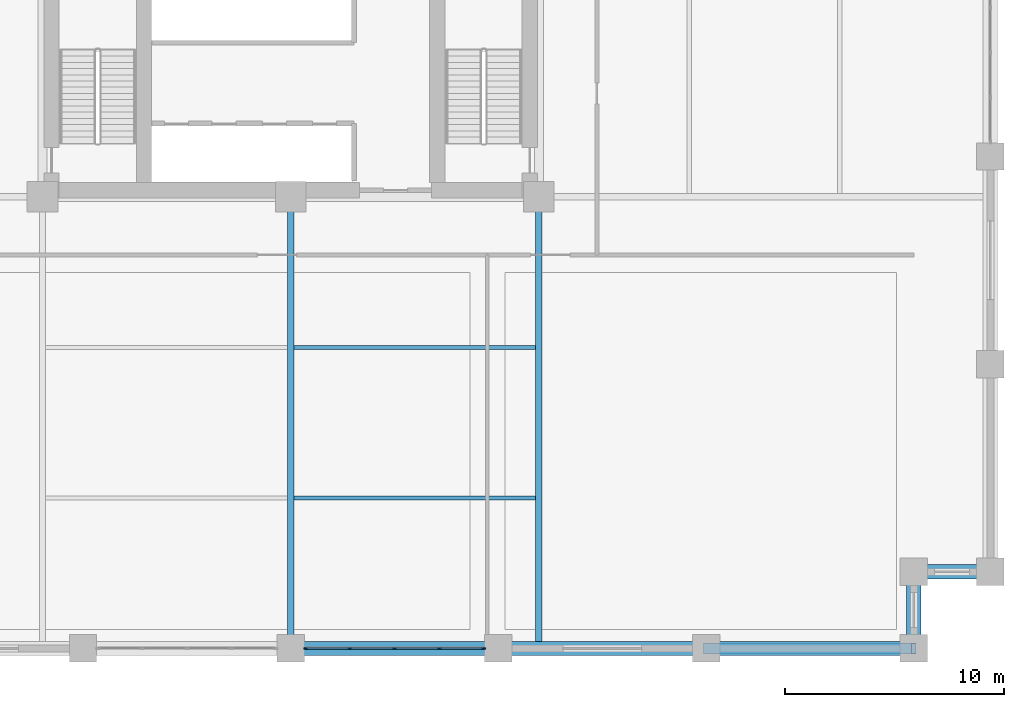
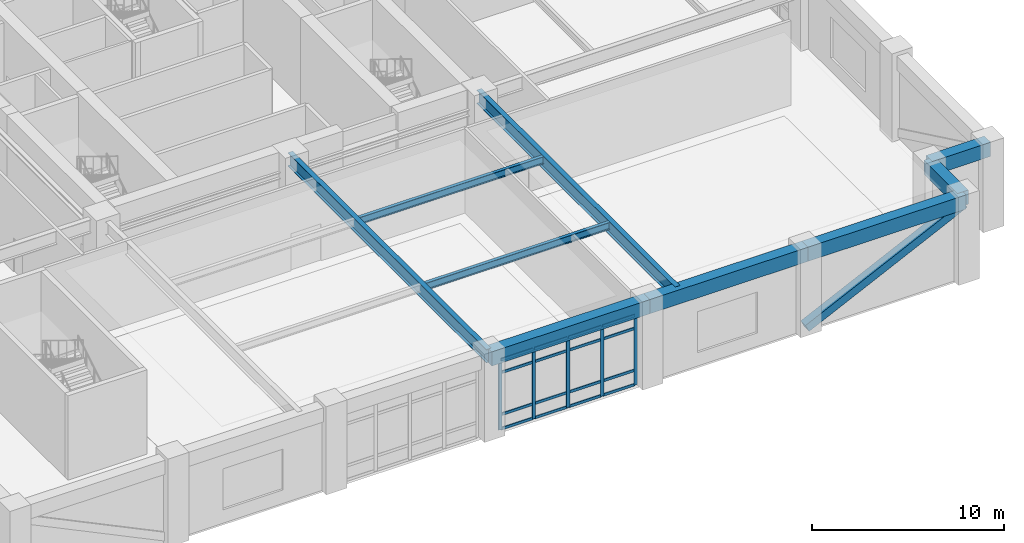
# One storey, part 4 of 21: 22 members, 9 beams, 1 element without a shape of its own.
"""IFC4 building model written with IfcOpenShell, lengths in metres."""

import ifcopenshell
import ifcopenshell.guid

model = None  # the IFC model being written
_history = None  # IfcOwnerHistory: only IFC2X3 demands one
_inside = {}  # id of a spatial element -> (the spatial element, [elements in it])
_under = {}  # id of a project, library or spatial element -> (it, [spatial elements below it])
_declared = {}  # id of a project -> (the project, [libraries it declares])
_typed = {}  # id of a type object -> (the type object, [elements of that type])
_made_of = {}  # id of a material, layer set ... -> (it, [elements and type objects made of it])


def new_model(schema):
    """Start an empty IFC model of exactly this schema.

    Asked for "IFC4X3", IfcOpenShell would pick the latest addendum, in which some entities
    have other attributes; the version numbers below select the first issue.
    IFC2X3 requires an IfcOwnerHistory on every rooted entity: one is made here for all.
    """
    global model, _history
    if schema == "IFC4X3":
        model = ifcopenshell.file(schema_version=(4, 3, 0, 0))
    else:
        model = ifcopenshell.file(schema=schema)
    _inside.clear()
    _under.clear()
    _declared.clear()
    _typed.clear()
    _made_of.clear()
    _history = None
    if model.schema == "IFC2X3":
        org = make("IfcOrganization", Name="unknown")
        user = make(
            "IfcPersonAndOrganization",
            ThePerson=make("IfcPerson", FamilyName="unknown"),
            TheOrganization=org,
        )
        app = make(
            "IfcApplication",
            ApplicationDeveloper=org,
            Version="unknown",
            ApplicationFullName="unknown",
            ApplicationIdentifier="unknown",
        )
        _history = make(
            "IfcOwnerHistory",
            OwningUser=user,
            OwningApplication=app,
            ChangeAction="ADDED",
            CreationDate=0,
        )
    return model


def make(cls, **values):
    """One entity of the class cls with the attributes given. An attribute that is None is left unset."""
    return model.create_entity(
        cls, **{name: value for name, value in values.items() if value is not None}
    )


def rooted(cls, **values):
    """An entity with a GlobalId (a new one), such as an element, a storey or a relation."""
    return make(cls, GlobalId=ifcopenshell.guid.new(), OwnerHistory=_history, **values)


def si_unit(unit_type, name, prefix=None):
    """IfcSIUnit, for example si_unit("LENGTHUNIT", "METRE", prefix="MILLI")."""
    return make("IfcSIUnit", UnitType=unit_type, Prefix=prefix, Name=name)


def assignment(units):
    """IfcUnitAssignment: the units of a project."""
    return None if units is None else make("IfcUnitAssignment", Units=units)


def point(xyz):
    """IfcCartesianPoint."""
    return None if xyz is None else make("IfcCartesianPoint", Coordinates=xyz)


def direction(xyz):
    """IfcDirection."""
    return None if xyz is None else make("IfcDirection", DirectionRatios=xyz)


def frame(location, z_axis=None, x_axis=None):
    """IfcAxis2Placement3D, a coordinate frame: its origin and axes. An axis left out is left unset."""
    return make(
        "IfcAxis2Placement3D",
        Location=point(location),
        Axis=direction(z_axis),
        RefDirection=direction(x_axis),
    )


def frame_2d(location, x_axis=None):
    """IfcAxis2Placement2D, a coordinate frame in the plane: its origin and x axis."""
    return make(
        "IfcAxis2Placement2D", Location=point(location), RefDirection=direction(x_axis)
    )


def origin():
    """The frame at (0, 0, 0) with its axes left unset."""
    return frame((0.0, 0.0, 0.0))


def origin_2d():
    """The frame at (0, 0) in the plane with its x axis left unset."""
    return frame_2d((0.0, 0.0))


def place(relative_to, where):
    """IfcLocalPlacement: puts the frame where relative to a parent placement (None: the world)."""
    return make(
        "IfcLocalPlacement", PlacementRelTo=relative_to, RelativePlacement=where
    )


def context(
    kind, dimensions, precision=None, world=None, true_north=None, identifier=None
):
    """IfcGeometricRepresentationContext, for example the 3D "Model" context."""
    return make(
        "IfcGeometricRepresentationContext",
        ContextIdentifier=identifier,
        ContextType=kind,
        CoordinateSpaceDimension=dimensions,
        Precision=precision,
        WorldCoordinateSystem=world,
        TrueNorth=true_north,
    )


def subcontext(parent, identifier, kind, view, scale=None):
    """IfcGeometricRepresentationSubContext, for example "Body" below "Model"."""
    return make(
        "IfcGeometricRepresentationSubContext",
        ContextIdentifier=identifier,
        ContextType=kind,
        ParentContext=parent,
        TargetScale=scale,
        TargetView=view,
    )


def project(units=None, contexts=None):
    """IfcProject with its units and contexts."""
    return rooted(
        "IfcProject",
        Name="project",
        RepresentationContexts=contexts,
        UnitsInContext=assignment(units),
    )


def spatial(cls, under=None, at=None, **own):
    """A site, building, storey or space (cls), placed at a placement, below another one or the project."""
    s = rooted(cls, ObjectPlacement=at, **own)
    if under is not None:
        _under.setdefault(under.id(), (under, []))[1].append(s)
    return s


def profile(cls, at=None, kind="AREA", **sizes):
    """A parametric profile (cls). Its sizes go by their IFC names, for example OverallWidth=200.0."""
    return make(cls, ProfileType=kind, Position=at, **sizes)


def rectangle(**sizes):
    """IfcRectangleProfileDef."""
    return profile("IfcRectangleProfileDef", **sizes)


def hollow_rectangle(**sizes):
    """IfcRectangleHollowProfileDef."""
    return profile("IfcRectangleHollowProfileDef", **sizes)


def i_section(**sizes):
    """IfcIShapeProfileDef."""
    return profile("IfcIShapeProfileDef", **sizes)


def extrude(swept, where, along, depth):
    """IfcExtrudedAreaSolid: the profile swept, set in the frame where, extruded along a direction by depth."""
    return make(
        "IfcExtrudedAreaSolid",
        SweptArea=swept,
        Position=where,
        ExtrudedDirection=direction(along),
        Depth=depth,
    )


def shape(context_of_items, identifier, shape_type, items):
    """IfcShapeRepresentation: the items that make up one representation, for example the "Body"."""
    return make(
        "IfcShapeRepresentation",
        ContextOfItems=context_of_items,
        RepresentationIdentifier=identifier,
        RepresentationType=shape_type,
        Items=items,
    )


def material(Name=None, Category=None):
    """IfcMaterial."""
    return make("IfcMaterial", Name=Name, Category=Category)


def layer(
    of_material, thickness, ventilated=None, Name=None, Category=None, Priority=None
):
    """IfcMaterialLayer: one layer of a wall or slab, of a material (None: an air gap)."""
    return make(
        "IfcMaterialLayer",
        Material=of_material,
        LayerThickness=thickness,
        IsVentilated=ventilated,
        Name=Name,
        Category=Category,
        Priority=Priority,
    )


def layer_set(layers, Name=None):
    """IfcMaterialLayerSet."""
    return make("IfcMaterialLayerSet", MaterialLayers=layers, LayerSetName=Name)


def material_profile(
    of_material, cross_section, Name=None, Category=None, Priority=None
):
    """IfcMaterialProfile: a cross section and its material."""
    return make(
        "IfcMaterialProfile",
        Name=Name,
        Material=of_material,
        Profile=cross_section,
        Priority=Priority,
        Category=Category,
    )


def profile_set(profiles, Name=None, composite=None):
    """IfcMaterialProfileSet."""
    return make(
        "IfcMaterialProfileSet",
        Name=Name,
        MaterialProfiles=profiles,
        CompositeProfile=composite,
    )


def made_of(thing, what):
    """Note that an element or type object is made of a material, layer set ...; save() writes the relation."""
    if what is not None:
        _made_of.setdefault(what.id(), (what, []))[1].append(thing)
    return thing


def type_object(cls, material=None, **own):
    """A type object (cls), such as IfcWallType, which elements share."""
    return made_of(rooted(cls, **own), material)


def element(
    cls,
    number,
    at=None,
    inside=None,
    cuts=None,
    type_object=None,
    material=None,
    context=None,
    identifier="Body",
    shape_type=None,
    held_by="IfcProductDefinitionShape",
    body=None,
    shapes=None,
    **own,
):
    """One element of the class cls, such as IfcWall. Its Tag is "e" and its number.

    at: its placement. inside: the storey or other place that contains it. cuts: it is an
    opening in that element (IfcRelVoidsElement). A single representation is given by context,
    identifier, shape_type and body (its items); several are given by shapes. held_by: the class
    of the entity that holds the representations. save() writes the other relations.
    """
    e = rooted(cls, Tag="e%d" % number, ObjectPlacement=at, **own)
    if body is not None:
        shapes = [shape(context, identifier, shape_type, body)]
    if shapes is not None:
        e.Representation = make(held_by, Representations=shapes)
    if inside is not None:
        _inside.setdefault(inside.id(), (inside, []))[1].append(e)
    if cuts is not None:
        rooted(
            "IfcRelVoidsElement", RelatingBuildingElement=cuts, RelatedOpeningElement=e
        )
    if type_object is not None:
        _typed.setdefault(type_object.id(), (type_object, []))[1].append(e)
    return made_of(e, material)


def aggregate(whole, parts):
    """IfcRelAggregates: a whole, such as a stair, and the parts it consists of."""
    return rooted("IfcRelAggregates", RelatingObject=whole, RelatedObjects=parts)


def save(model, path):
    """Write the relations noted so far, then the file.

    IfcRelAggregates (storeys below a building ...), IfcRelContainedInSpatialStructure (elements
    in a storey), IfcRelDefinesByType, IfcRelAssociatesMaterial and IfcRelDeclares: one each for
    every whole, place, type object, material and project.
    """
    for whole, parts in _under.values():
        aggregate(whole, parts)
    for where, things in _inside.values():
        rooted(
            "IfcRelContainedInSpatialStructure",
            RelatedElements=things,
            RelatingStructure=where,
        )
    for kind, things in _typed.values():
        rooted("IfcRelDefinesByType", RelatedObjects=things, RelatingType=kind)
    for what, things in _made_of.values():
        rooted("IfcRelAssociatesMaterial", RelatedObjects=things, RelatingMaterial=what)
    for by, libraries in _declared.values():
        rooted("IfcRelDeclares", RelatingContext=by, RelatedDefinitions=libraries)
    model.write(path)


model = new_model("IFC4")

# Units and contexts
model_context = context("Model", 3, precision=1e-05, world=origin(), true_north=direction((0.0, 1.0)))
body_context = subcontext(model_context, "Body", "Model", "MODEL_VIEW")
ifc_project = project(units=[si_unit("LENGTHUNIT", "METRE"), si_unit("AREAUNIT", "SQUARE_METRE"), si_unit("VOLUMEUNIT", "CUBIC_METRE"), si_unit("PLANEANGLEUNIT", "RADIAN"), si_unit("MASSUNIT", "GRAM", prefix="KILO")], contexts=[model_context])

# Site, building, storey
site_placement = place(None, origin())
site = spatial("IfcSite", under=ifc_project, at=site_placement, CompositionType="ELEMENT")
building_placement = place(site_placement, origin())
building = spatial("IfcBuilding", under=site, at=building_placement, Name="Nhamokura Convention Tower", CompositionType="ELEMENT")
storey_placement = place(building_placement, frame((0.0, 0.0, 12.25)))
storey = spatial("IfcBuildingStorey", under=building, at=storey_placement, Name="L02", CompositionType="ELEMENT", Elevation=12.25)

# Curtain wall, members
ifc_material_1 = material(Name="Anodised bronze aluminium AA6063-T6", Category="aluminium")
ifc_layer = layer(ifc_material_1, 0.199951171875)
ifc_layer_set = layer_set([ifc_layer], Name="CWSystem_ConventionFoyer")
curtain_wall_type = type_object("IfcCurtainWallType", Name="CWSystem_ConventionFoyer", PredefinedType="NOTDEFINED", material=ifc_layer_set)
curtain_wall_placement = place(storey_placement, origin())
curtain_wall = element("IfcCurtainWall", 1, at=curtain_wall_placement, inside=storey, type_object=curtain_wall_type, Name="L02 Curtain Wall ENV-L02-CW-S3", PredefinedType="NOTDEFINED")
ifc_material_2 = material(Name="Anodised bronze aluminium AA6063-T6", Category="aluminium")
ifc_material_profile_1 = material_profile(ifc_material_2, rectangle(XDim=0.074951171875, YDim=0.199951171875, at=origin_2d()))
ifc_profile_set_1 = profile_set([ifc_material_profile_1], Name="Anodised bronze aluminium AA6063-T6")
member_type_1 = type_object("IfcMemberType", Name="CWMullion_2", PredefinedType="MULLION", material=ifc_profile_set_1)
member_1_placement = place(storey_placement, frame((40.8125, 0.0, 0.0), z_axis=(0.0, 0.0, 1.0), x_axis=(0.0, -1.0, 0.0)))
member_1 = element("IfcMember", 2, at=member_1_placement, type_object=member_type_1, Name="CW-02 mullion 1", PredefinedType="MULLION", context=body_context, shape_type="SweptSolid", body=[
    extrude(rectangle(XDim=0.074951171875, YDim=0.199951171875, at=origin_2d()), origin(), (0.0, 0.0, 1.0), 4.4599609375),
])
member_2_placement = place(storey_placement, frame((38.800048828125, 0.0, 0.0), z_axis=(0.0, 0.0, 1.0), x_axis=(0.0, -1.0, 0.0)))
member_2 = element("IfcMember", 3, at=member_2_placement, type_object=member_type_1, Name="CW-02 mullion 2", PredefinedType="MULLION", context=body_context, shape_type="SweptSolid", body=[
    extrude(rectangle(XDim=0.074951171875, YDim=0.199951171875, at=origin_2d()), origin(), (0.0, 0.0, 1.0), 4.4599609375),
])
member_3_placement = place(storey_placement, frame((36.75, 0.0, 0.0), z_axis=(0.0, 0.0, 1.0), x_axis=(0.0, -1.0, 0.0)))
member_3 = element("IfcMember", 4, at=member_3_placement, type_object=member_type_1, Name="CW-02 mullion 3", PredefinedType="MULLION", context=body_context, shape_type="SweptSolid", body=[
    extrude(rectangle(XDim=0.074951171875, YDim=0.199951171875, at=origin_2d()), origin(), (0.0, 0.0, 1.0), 4.4599609375),
])
member_4_placement = place(storey_placement, frame((34.699951171875, 0.0, 0.0), z_axis=(0.0, 0.0, 1.0), x_axis=(0.0, -1.0, 0.0)))
member_4 = element("IfcMember", 5, at=member_4_placement, type_object=member_type_1, Name="CW-02 mullion 4", PredefinedType="MULLION", context=body_context, shape_type="SweptSolid", body=[
    extrude(rectangle(XDim=0.074951171875, YDim=0.199951171875, at=origin_2d()), origin(), (0.0, 0.0, 1.0), 4.4599609375),
])
member_5_placement = place(storey_placement, frame((32.6875, 0.0, 0.0), z_axis=(0.0, 0.0, 1.0), x_axis=(0.0, -1.0, 0.0)))
member_5 = element("IfcMember", 6, at=member_5_placement, type_object=member_type_1, Name="CW-02 mullion 5", PredefinedType="MULLION", context=body_context, shape_type="SweptSolid", body=[
    extrude(rectangle(XDim=0.074951171875, YDim=0.199951171875, at=origin_2d()), origin(), (0.0, 0.0, 1.0), 4.4599609375),
])
ifc_material_3 = material(Name="Anodised bronze aluminium AA6063-T6", Category="aluminium")
ifc_material_profile_2 = material_profile(ifc_material_3, rectangle(XDim=0.074951171875, YDim=0.169921875, at=origin_2d()))
ifc_profile_set_2 = profile_set([ifc_material_profile_2], Name="Anodised bronze aluminium AA6063-T6")
member_type_2 = type_object("IfcMemberType", Name="CWTransom_2", PredefinedType="USERDEFINED", material=ifc_profile_set_2)
member_6_placement = place(storey_placement, frame((40.77490234375, 0.0, 0.03759765625), z_axis=(-1.0, 0.0, 0.0), x_axis=(0.0, -1.0, 0.0)))
member_6 = element("IfcMember", 7, at=member_6_placement, type_object=member_type_2, Name="CW-02 transom 1.1", ObjectType="TRANSOM", PredefinedType="USERDEFINED", context=body_context, shape_type="SweptSolid", body=[
    extrude(rectangle(XDim=0.074951171875, YDim=0.169921875, at=origin_2d()), origin(), (0.0, 0.0, 1.0), 1.9375),
])
member_7_placement = place(storey_placement, frame((40.77490234375, 0.0, 0.949951171875), z_axis=(-1.0, 0.0, 0.0), x_axis=(0.0, -1.0, 0.0)))
member_7 = element("IfcMember", 8, at=member_7_placement, type_object=member_type_2, Name="CW-02 transom 1.2", ObjectType="TRANSOM", PredefinedType="USERDEFINED", context=body_context, shape_type="SweptSolid", body=[
    extrude(rectangle(XDim=0.074951171875, YDim=0.169921875, at=origin_2d()), origin(), (0.0, 0.0, 1.0), 1.9375),
])
member_8_placement = place(storey_placement, frame((40.77490234375, 0.0, 3.610107421875), z_axis=(-1.0, 0.0, 0.0), x_axis=(0.0, -1.0, 0.0)))
member_8 = element("IfcMember", 9, at=member_8_placement, type_object=member_type_2, Name="CW-02 transom 1.3", ObjectType="TRANSOM", PredefinedType="USERDEFINED", context=body_context, shape_type="SweptSolid", body=[
    extrude(rectangle(XDim=0.074951171875, YDim=0.169921875, at=origin_2d()), origin(), (0.0, 0.0, 1.0), 1.9375),
])
member_9_placement = place(storey_placement, frame((40.77490234375, 0.0, 4.422607421875), z_axis=(-1.0, 0.0, 0.0), x_axis=(0.0, -1.0, 0.0)))
member_9 = element("IfcMember", 10, at=member_9_placement, type_object=member_type_2, Name="CW-02 transom 1.4", ObjectType="TRANSOM", PredefinedType="USERDEFINED", context=body_context, shape_type="SweptSolid", body=[
    extrude(rectangle(XDim=0.074951171875, YDim=0.169921875, at=origin_2d()), origin(), (0.0, 0.0, 1.0), 1.9375),
])
member_10_placement = place(storey_placement, frame((38.762451171875, 0.0, 0.03759765625), z_axis=(-1.0, 0.0, 0.0), x_axis=(0.0, -1.0, 0.0)))
member_10 = element("IfcMember", 11, at=member_10_placement, type_object=member_type_2, Name="CW-02 transom 2.1", ObjectType="TRANSOM", PredefinedType="USERDEFINED", context=body_context, shape_type="SweptSolid", body=[
    extrude(rectangle(XDim=0.074951171875, YDim=0.169921875, at=origin_2d()), origin(), (0.0, 0.0, 1.0), 1.974853515625),
])
member_11_placement = place(storey_placement, frame((38.762451171875, 0.0, 0.949951171875), z_axis=(-1.0, 0.0, 0.0), x_axis=(0.0, -1.0, 0.0)))
member_11 = element("IfcMember", 12, at=member_11_placement, type_object=member_type_2, Name="CW-02 transom 2.2", ObjectType="TRANSOM", PredefinedType="USERDEFINED", context=body_context, shape_type="SweptSolid", body=[
    extrude(rectangle(XDim=0.074951171875, YDim=0.169921875, at=origin_2d()), origin(), (0.0, 0.0, 1.0), 1.974853515625),
])
member_12_placement = place(storey_placement, frame((38.762451171875, 0.0, 3.610107421875), z_axis=(-1.0, 0.0, 0.0), x_axis=(0.0, -1.0, 0.0)))
member_12 = element("IfcMember", 13, at=member_12_placement, type_object=member_type_2, Name="CW-02 transom 2.3", ObjectType="TRANSOM", PredefinedType="USERDEFINED", context=body_context, shape_type="SweptSolid", body=[
    extrude(rectangle(XDim=0.074951171875, YDim=0.169921875, at=origin_2d()), origin(), (0.0, 0.0, 1.0), 1.974853515625),
])
member_13_placement = place(storey_placement, frame((38.762451171875, 0.0, 4.422607421875), z_axis=(-1.0, 0.0, 0.0), x_axis=(0.0, -1.0, 0.0)))
member_13 = element("IfcMember", 14, at=member_13_placement, type_object=member_type_2, Name="CW-02 transom 2.4", ObjectType="TRANSOM", PredefinedType="USERDEFINED", context=body_context, shape_type="SweptSolid", body=[
    extrude(rectangle(XDim=0.074951171875, YDim=0.169921875, at=origin_2d()), origin(), (0.0, 0.0, 1.0), 1.974853515625),
])
member_14_placement = place(storey_placement, frame((36.71240234375, 0.0, 0.03759765625), z_axis=(-1.0, 0.0, 0.0), x_axis=(0.0, -1.0, 0.0)))
member_14 = element("IfcMember", 15, at=member_14_placement, type_object=member_type_2, Name="CW-02 transom 3.1", ObjectType="TRANSOM", PredefinedType="USERDEFINED", context=body_context, shape_type="SweptSolid", body=[
    extrude(rectangle(XDim=0.074951171875, YDim=0.169921875, at=origin_2d()), origin(), (0.0, 0.0, 1.0), 1.974853515625),
])
member_15_placement = place(storey_placement, frame((36.71240234375, 0.0, 0.949951171875), z_axis=(-1.0, 0.0, 0.0), x_axis=(0.0, -1.0, 0.0)))
member_15 = element("IfcMember", 16, at=member_15_placement, type_object=member_type_2, Name="CW-02 transom 3.2", ObjectType="TRANSOM", PredefinedType="USERDEFINED", context=body_context, shape_type="SweptSolid", body=[
    extrude(rectangle(XDim=0.074951171875, YDim=0.169921875, at=origin_2d()), origin(), (0.0, 0.0, 1.0), 1.974853515625),
])
member_16_placement = place(storey_placement, frame((36.71240234375, 0.0, 3.610107421875), z_axis=(-1.0, 0.0, 0.0), x_axis=(0.0, -1.0, 0.0)))
member_16 = element("IfcMember", 17, at=member_16_placement, type_object=member_type_2, Name="CW-02 transom 3.3", ObjectType="TRANSOM", PredefinedType="USERDEFINED", context=body_context, shape_type="SweptSolid", body=[
    extrude(rectangle(XDim=0.074951171875, YDim=0.169921875, at=origin_2d()), origin(), (0.0, 0.0, 1.0), 1.974853515625),
])
member_17_placement = place(storey_placement, frame((36.71240234375, 0.0, 4.422607421875), z_axis=(-1.0, 0.0, 0.0), x_axis=(0.0, -1.0, 0.0)))
member_17 = element("IfcMember", 18, at=member_17_placement, type_object=member_type_2, Name="CW-02 transom 3.4", ObjectType="TRANSOM", PredefinedType="USERDEFINED", context=body_context, shape_type="SweptSolid", body=[
    extrude(rectangle(XDim=0.074951171875, YDim=0.169921875, at=origin_2d()), origin(), (0.0, 0.0, 1.0), 1.974853515625),
])
member_18_placement = place(storey_placement, frame((34.66259765625, 0.0, 0.03759765625), z_axis=(-1.0, 0.0, 0.0), x_axis=(0.0, -1.0, 0.0)))
member_18 = element("IfcMember", 19, at=member_18_placement, type_object=member_type_2, Name="CW-02 transom 4.1", ObjectType="TRANSOM", PredefinedType="USERDEFINED", context=body_context, shape_type="SweptSolid", body=[
    extrude(rectangle(XDim=0.074951171875, YDim=0.169921875, at=origin_2d()), origin(), (0.0, 0.0, 1.0), 1.9375),
])
member_19_placement = place(storey_placement, frame((34.66259765625, 0.0, 0.949951171875), z_axis=(-1.0, 0.0, 0.0), x_axis=(0.0, -1.0, 0.0)))
member_19 = element("IfcMember", 20, at=member_19_placement, type_object=member_type_2, Name="CW-02 transom 4.2", ObjectType="TRANSOM", PredefinedType="USERDEFINED", context=body_context, shape_type="SweptSolid", body=[
    extrude(rectangle(XDim=0.074951171875, YDim=0.169921875, at=origin_2d()), origin(), (0.0, 0.0, 1.0), 1.9375),
])
member_20_placement = place(storey_placement, frame((34.66259765625, 0.0, 3.610107421875), z_axis=(-1.0, 0.0, 0.0), x_axis=(0.0, -1.0, 0.0)))
member_20 = element("IfcMember", 21, at=member_20_placement, type_object=member_type_2, Name="CW-02 transom 4.3", ObjectType="TRANSOM", PredefinedType="USERDEFINED", context=body_context, shape_type="SweptSolid", body=[
    extrude(rectangle(XDim=0.074951171875, YDim=0.169921875, at=origin_2d()), origin(), (0.0, 0.0, 1.0), 1.9375),
])
member_21_placement = place(storey_placement, frame((34.66259765625, 0.0, 4.422607421875), z_axis=(-1.0, 0.0, 0.0), x_axis=(0.0, -1.0, 0.0)))
member_21 = element("IfcMember", 22, at=member_21_placement, type_object=member_type_2, Name="CW-02 transom 4.4", ObjectType="TRANSOM", PredefinedType="USERDEFINED", context=body_context, shape_type="SweptSolid", body=[
    extrude(rectangle(XDim=0.074951171875, YDim=0.169921875, at=origin_2d()), origin(), (0.0, 0.0, 1.0), 1.9375),
])
aggregate(curtain_wall, [member_1, member_2, member_3, member_4, member_5, member_6, member_7, member_8, member_9, member_10, member_11, member_12, member_13, member_14, member_15, member_16, member_17, member_18, member_19, member_20, member_21])

# Beams
ifc_material_4 = material(Name="Steel ASTM A992 Gr 50", Category="steel")
ifc_material_profile_3 = material_profile(ifc_material_4, i_section(OverallWidth=0.19189453125, OverallDepth=0.462890625, WebThickness=0.010498046875, FlangeThickness=0.017578125, at=origin_2d()))
ifc_profile_set_3 = profile_set([ifc_material_profile_3], Name="Steel ASTM A992 Gr 50")
beam_type_1 = type_object("IfcBeamType", Name="FloorJoist_W460X89", PredefinedType="JOIST", material=ifc_profile_set_3)
for number, where, z_axis, x_axis, name in (
    (23, (32.14501953125, 6.88330078125, 5.12841796875), (1.0, 0.0, 0.0), (0.0, 1.0, 0.0), "L02 Composite Floor Joist S1B"),
    (24, (32.14501953125, 13.7666015625, 5.12841796875), (1.0, 0.0, 0.0), (0.0, 1.0, 0.0), "L02 Composite Floor Joist S2B"),
):
    element("IfcBeam", number, at=place(storey_placement, frame(where, z_axis=z_axis, x_axis=x_axis)), inside=storey, type_object=beam_type_1, Name=name, PredefinedType="JOIST", context=body_context, shape_type="SweptSolid", body=[
        extrude(i_section(OverallWidth=0.19189453125, OverallDepth=0.462890625, WebThickness=0.010498046875, FlangeThickness=0.017578125, at=origin_2d()), origin(), (0.0, 0.0, 1.0), 11.06005859375),
    ])
ifc_material_5 = material(Name="Steel ASTM A992 Gr 50", Category="steel")
ifc_material_profile_4 = material_profile(ifc_material_5, i_section(OverallWidth=0.2939453125, OverallDepth=0.85107421875, WebThickness=0.01611328125, FlangeThickness=0.02685546875, at=origin_2d()))
ifc_profile_set_4 = profile_set([ifc_material_profile_4], Name="Steel ASTM A992 Gr 50")
beam_type_2 = type_object("IfcBeamType", Name="HallGirder_W840X226", PredefinedType="BEAM", material=ifc_profile_set_4)
for number, where, z_axis, x_axis, name in (
    (25, (32.0, 0.0, 4.9345703125), (0.0, 1.0, 0.0), (-1.0, 0.0, 0.0), "L02 Primary Floor Girder PG-S2"),
    (26, (43.35009765625, 0.0, 4.9345703125), (0.0, 1.0, 0.0), (-1.0, 0.0, 0.0), "L02 Primary Floor Girder PG-S3"),
):
    element("IfcBeam", number, at=place(storey_placement, frame(where, z_axis=z_axis, x_axis=x_axis)), inside=storey, type_object=beam_type_2, Name=name, PredefinedType="BEAM", context=body_context, shape_type="SweptSolid", body=[
        extrude(i_section(OverallWidth=0.2939453125, OverallDepth=0.85107421875, WebThickness=0.01611328125, FlangeThickness=0.02685546875, at=origin_2d()), origin(), (0.0, 0.0, 1.0), 20.64990234375),
    ])

# Member
ifc_material_6 = material(Name="Steel ASTM A572 Gr 50", Category="steel")
ifc_material_profile_5 = material_profile(ifc_material_6, hollow_rectangle(XDim=0.5, YDim=0.5, WallThickness=0.02490234375, at=origin_2d()))
ifc_profile_set_5 = profile_set([ifc_material_profile_5], Name="Steel ASTM A572 Gr 50")
member_type_3 = type_object("IfcMemberType", Name="TubeBrace_HSS500", PredefinedType="BRACE", material=ifc_profile_set_5)
member_22_placement = place(storey_placement, frame((51.0, 0.0, 0.14990234375), z_axis=(0.901520888263, 0.0, 0.432735586734), x_axis=(0.0, 1.0, 0.0)))
element("IfcMember", 27, at=member_22_placement, inside=storey, type_object=member_type_3, Name="L02 Perimeter Tube Brace SOUTH Bay 5", PredefinedType="BRACE", context=body_context, shape_type="SweptSolid", body=[
    extrude(hollow_rectangle(XDim=0.5, YDim=0.5, WallThickness=0.02490234375, at=origin_2d()), origin(), (0.0, 0.0, 1.0), 10.537841796875),
])

# Beams
ifc_material_7 = material(Name="Concrete C60/75", Category="concrete")
ifc_material_profile_6 = material_profile(ifc_material_7, rectangle(XDim=0.64990234375, YDim=0.89990234375, at=origin_2d()))
ifc_profile_set_6 = profile_set([ifc_material_profile_6], Name="Concrete C60/75")
beam_type_3 = type_object("IfcBeamType", Name="TubeSpandrel_900", PredefinedType="SPANDREL", material=ifc_profile_set_6)
for number, where, z_axis, x_axis, name in (
    (28, (32.0, 0.0, 4.909912109375), (1.0, 0.0, 0.0), (0.0, 1.0, 0.0), "L02 Perimeter Spandrel SOUTH 4"),
    (29, (41.5, 0.0, 4.909912109375), (1.0, 0.0, 0.0), (0.0, 1.0, 0.0), "L02 Perimeter Spandrel SOUTH 5"),
    (30, (51.0, 0.0, 4.909912109375), (1.0, 0.0, 0.0), (0.0, 1.0, 0.0), "L02 Perimeter Spandrel SOUTH 6"),
):
    element("IfcBeam", number, at=place(storey_placement, frame(where, z_axis=z_axis, x_axis=x_axis)), inside=storey, type_object=beam_type_3, Name=name, PredefinedType="SPANDREL", context=body_context, shape_type="SweptSolid", body=[
        extrude(rectangle(XDim=0.64990234375, YDim=0.89990234375, at=origin_2d()), origin(), (0.0, 0.0, 1.0), 9.5),
    ])
for number, where, z_axis, x_axis, name in (
    (31, (60.5, 0.0, 4.909912109375), (0.0, 1.0, 0.0), (-1.0, 0.0, 0.0), "L02 Notch Spandrel SE1"),
    (32, (60.5, 3.5, 4.909912109375), (1.0, 0.0, 0.0), (0.0, 1.0, 0.0), "L02 Notch Spandrel SE2"),
):
    element("IfcBeam", number, at=place(storey_placement, frame(where, z_axis=z_axis, x_axis=x_axis)), inside=storey, type_object=beam_type_3, Name=name, PredefinedType="SPANDREL", context=body_context, shape_type="SweptSolid", body=[
        extrude(rectangle(XDim=0.64990234375, YDim=0.89990234375, at=origin_2d()), origin(), (0.0, 0.0, 1.0), 3.5),
    ])

save(model, "model.ifc")
